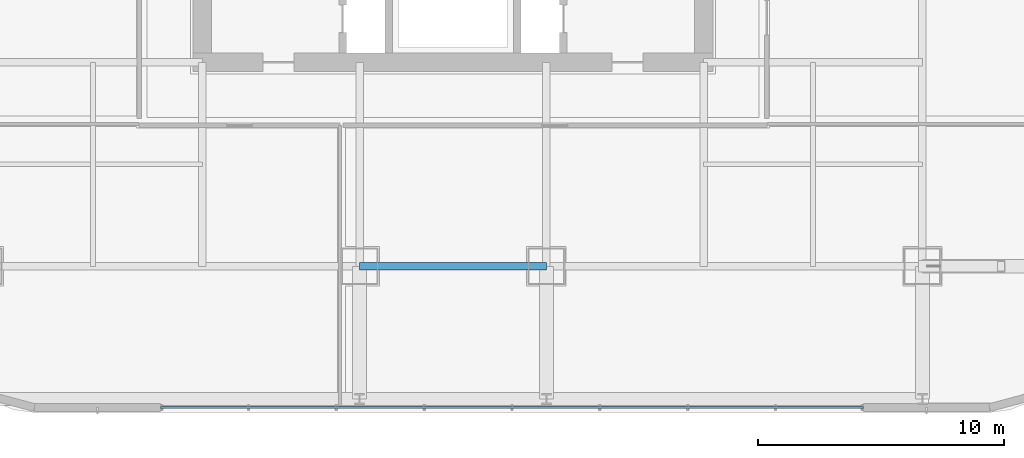
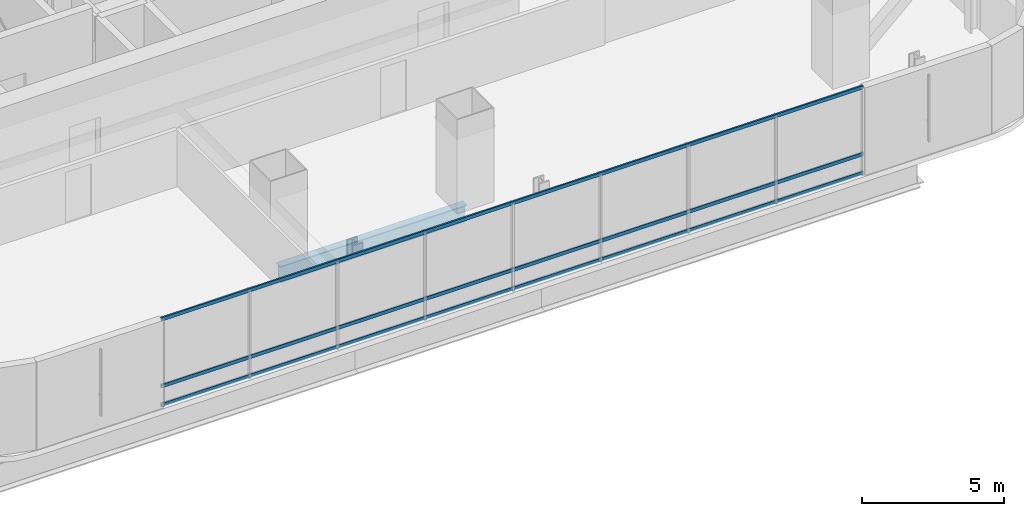
# One storey, part 5 of 42: 3 members, 1 beam, 1 element without a shape of its own.
"""IFC4 building model written with IfcOpenShell, lengths in metres."""

from ifc_helpers import new_model, si_unit, direction, frame, origin, origin_2d, place, context, subcontext, project, spatial, hollow_rectangle, i_section, extrude, material, material_profile, profile_set, type_object, element, aggregate, save


model = new_model("IFC4")

# Units and contexts
model_context = context("Model", 3, precision=1e-05, world=origin(), true_north=direction((0.0, 1.0)))
body_context = subcontext(model_context, "Body", "Model", "MODEL_VIEW")
ifc_project = project(units=[si_unit("LENGTHUNIT", "METRE"), si_unit("AREAUNIT", "SQUARE_METRE"), si_unit("VOLUMEUNIT", "CUBIC_METRE"), si_unit("PLANEANGLEUNIT", "RADIAN"), si_unit("MASSUNIT", "GRAM", prefix="KILO")], contexts=[model_context])

# Site, building, storey
site_placement = place(None, origin())
site = spatial("IfcSite", under=ifc_project, at=site_placement, CompositionType="ELEMENT")
building_placement = place(site_placement, origin())
building = spatial("IfcBuilding", under=site, at=building_placement, Name="Punatoya Terracotta Tower", CompositionType="ELEMENT")
storey_placement = place(building_placement, frame((0.0, 0.0, 88.949951171875)))
storey = spatial("IfcBuildingStorey", under=building, at=storey_placement, Name="L20", CompositionType="ELEMENT", Elevation=88.949951171875)

# Beam
ifc_material_1 = material(Name="Steel S355", Category="steel")
ifc_material_profile_1 = material_profile(ifc_material_1, i_section(OverallWidth=0.300048828125, OverallDepth=0.699951171875, WebThickness=0.01708984375, FlangeThickness=0.031982421875, FilletRadius=0.01806640625, at=origin_2d()))
ifc_profile_set_1 = profile_set([ifc_material_profile_1], Name="Steel S355")
beam_type = type_object("IfcBeamType", Name="BM-PRI-700", PredefinedType="BEAM", material=ifc_profile_set_1)
beam_placement = place(storey_placement, frame((-3.800048828125, -17.5, -0.58984375), z_axis=(1.0, 0.0, 0.0), x_axis=(0.0, 1.0, 0.0)))
element("IfcBeam", 1, at=beam_placement, inside=storey, type_object=beam_type, Name="BM-L20-RG-S2", PredefinedType="BEAM", context=body_context, shape_type="SweptSolid", body=[
    extrude(i_section(OverallWidth=0.300048828125, OverallDepth=0.699951171875, WebThickness=0.01708984375, FlangeThickness=0.031982421875, FilletRadius=0.01806640625, at=origin_2d()), origin(), (0.0, 0.0, 1.0), 7.60009765625),
])

# Curtain wall, members
ifc_material_2 = material(Name="Aluminium 6063-T6 + Double Low-E Glass", Category="aluminium")
curtain_wall_type = type_object("IfcCurtainWallType", Name="CW-M1", PredefinedType="NOTDEFINED", material=ifc_material_2)
curtain_wall_placement = place(storey_placement, origin())
curtain_wall = element("IfcCurtainWall", 2, at=curtain_wall_placement, inside=storey, type_object=curtain_wall_type, Name="L20 Curtain Wall CW-L20-S01-1", PredefinedType="NOTDEFINED")
ifc_material_3 = material(Name="Aluminium 6063-T6", Category="aluminium")
ifc_material_profile_2 = material_profile(ifc_material_3, hollow_rectangle(XDim=0.068115234375, YDim=0.14990234375, WallThickness=0.00390625, at=origin_2d()))
ifc_profile_set_2 = profile_set([ifc_material_profile_2], Name="Aluminium 6063-T6")
member_type = type_object("IfcMemberType", Name="CW-TRN-TYP", PredefinedType="USERDEFINED", material=ifc_profile_set_2)
member_1_placement = place(storey_placement, frame((-11.89990234375, -23.25, 0.0400390625), z_axis=(1.0, 0.0, 0.0), x_axis=(0.0, 1.0, 0.0)))
member_1 = element("IfcMember", 3, at=member_1_placement, type_object=member_type, Name="CW-L20-S01-1 Transom 1", ObjectType="TRANSOM", PredefinedType="USERDEFINED", context=body_context, shape_type="SweptSolid", body=[
    extrude(hollow_rectangle(XDim=0.068115234375, YDim=0.14990234375, WallThickness=0.00390625, at=origin_2d()), origin(), (0.0, 0.0, 1.0), 28.599853515625),
])
member_2_placement = place(storey_placement, frame((-11.89990234375, -23.25, 0.85009765625), z_axis=(1.0, 0.0, 0.0), x_axis=(0.0, 1.0, 0.0)))
member_2 = element("IfcMember", 4, at=member_2_placement, type_object=member_type, Name="CW-L20-S01-1 Transom 2", ObjectType="TRANSOM", PredefinedType="USERDEFINED", context=body_context, shape_type="SweptSolid", body=[
    extrude(hollow_rectangle(XDim=0.068115234375, YDim=0.14990234375, WallThickness=0.00390625, at=origin_2d()), origin(), (0.0, 0.0, 1.0), 28.599853515625),
])
member_3_placement = place(storey_placement, frame((-11.89990234375, -23.25, 3.72998046875), z_axis=(1.0, 0.0, 0.0), x_axis=(0.0, 1.0, 0.0)))
member_3 = element("IfcMember", 5, at=member_3_placement, type_object=member_type, Name="CW-L20-S01-1 Transom 3", ObjectType="TRANSOM", PredefinedType="USERDEFINED", context=body_context, shape_type="SweptSolid", body=[
    extrude(hollow_rectangle(XDim=0.068115234375, YDim=0.14990234375, WallThickness=0.00390625, at=origin_2d()), origin(), (0.0, 0.0, 1.0), 28.599853515625),
])
aggregate(curtain_wall, [member_1, member_2, member_3])

save(model, "model.ifc")
